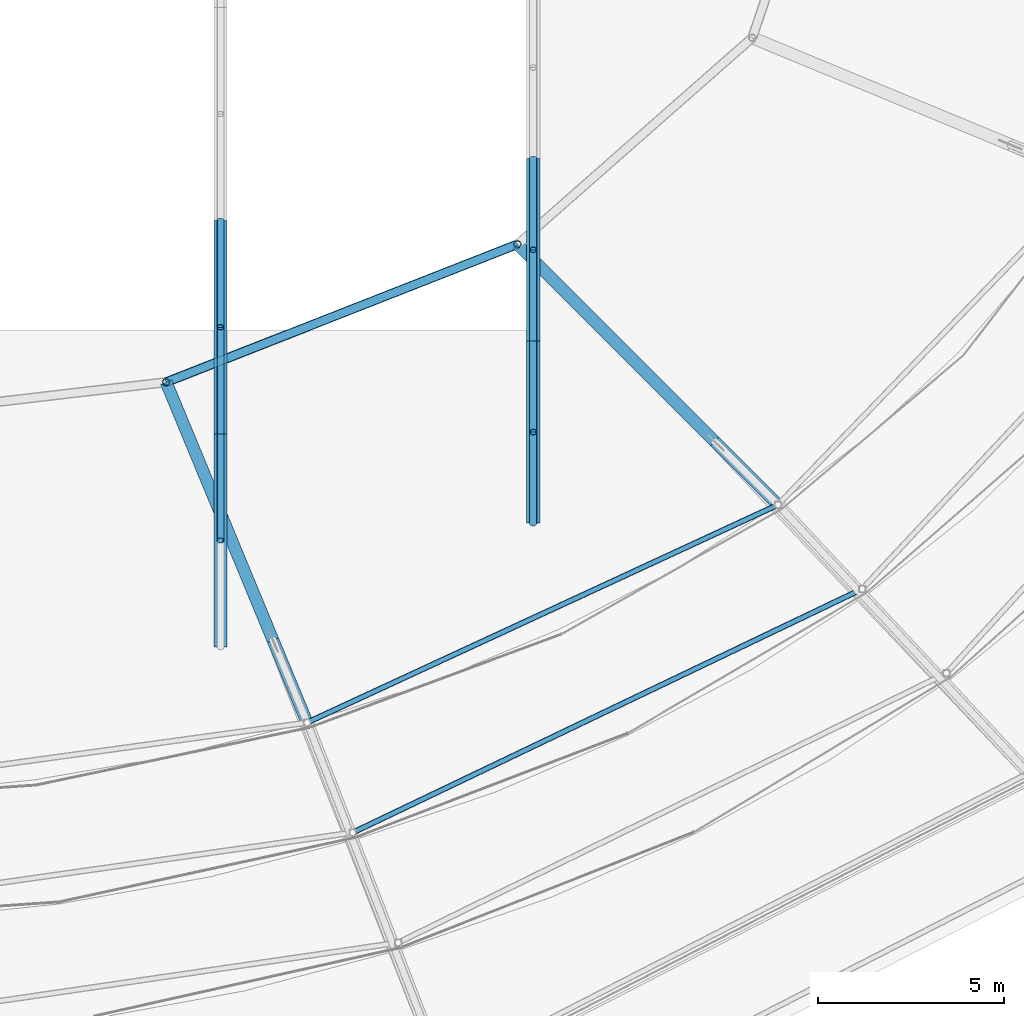
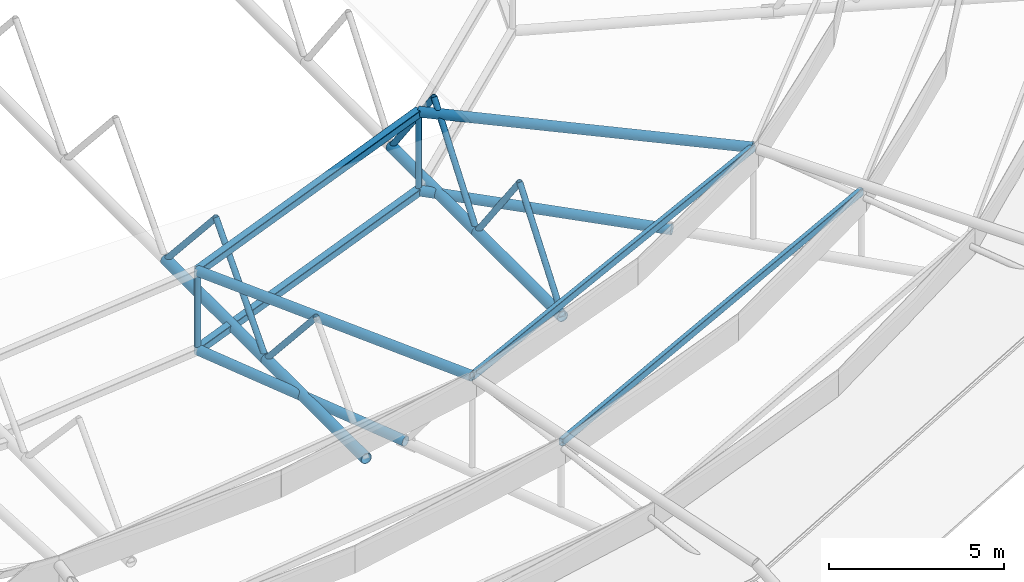
# One storey, part 29 of 134: 19 members, 2 beams.
"""IFC4 building model written with IfcOpenShell, lengths in metres."""

from ifc_helpers import new_model, si_unit, derived_unit, direction, frame, origin, origin_2d, place, context, subcontext, project, spatial, hollow_rectangle, hollow_circle, extrude, material, material_profile, profile_set, type_object, element, save


model = new_model("IFC4")

# Units and contexts
model_context = context("Model", 3, precision=1e-05, world=origin(), true_north=direction((0.0, 1.0)))
body_context = subcontext(model_context, "Body", "Model", "MODEL_VIEW")
ifc_project = project(units=[si_unit("LENGTHUNIT", "METRE"), si_unit("AREAUNIT", "SQUARE_METRE"), si_unit("VOLUMEUNIT", "CUBIC_METRE"), si_unit("PLANEANGLEUNIT", "RADIAN"), si_unit("MASSUNIT", "GRAM", prefix="KILO"), derived_unit("THERMALTRANSMITTANCEUNIT", [(si_unit("MASSUNIT", "GRAM", prefix="KILO"), 1), (si_unit("TIMEUNIT", "SECOND"), -3), (si_unit("THERMODYNAMICTEMPERATUREUNIT", "KELVIN"), -1)])], contexts=[model_context])

# Site, building, storey
site_placement = place(None, origin())
site = spatial("IfcSite", under=ifc_project, at=site_placement, CompositionType="ELEMENT")
building_placement = place(site_placement, origin())
building = spatial("IfcBuilding", under=site, at=building_placement, Name="Kharveza Railside Sports Centre", CompositionType="ELEMENT")
storey_placement = place(building_placement, frame((0.0, 0.0, 12.89990234375)))
storey = spatial("IfcBuildingStorey", under=building, at=storey_placement, Name="L03", CompositionType="ELEMENT", Elevation=12.89990234375)

# Beams
ifc_material = material(Name="Steel S355J2", Category="steel")
ifc_material_profile_1 = material_profile(ifc_material, hollow_rectangle(XDim=0.14990234375, YDim=0.25, WallThickness=0.010009765625, InnerFilletRadius=0.010009765625, OuterFilletRadius=0.02001953125, at=origin_2d()), Name="RHS 150x250x10.0")
ifc_profile_set_1 = profile_set([ifc_material_profile_1], Name="Steel S355J2")
beam_type = type_object("IfcBeamType", Name="BM-SP04", PredefinedType="SPANDREL", material=ifc_profile_set_1)
beam_1_placement = place(storey_placement, frame((70.749267578125, 22.498779296875, 2.30517578125), z_axis=(0.902161989983, 0.431397431414, 0.0), x_axis=(-0.431397431414, 0.902161989983, 0.0)))
element("IfcBeam", 1, at=beam_1_placement, inside=storey, type_object=beam_type, Name="BM-LIDRING-S3-14", PredefinedType="SPANDREL", context=body_context, shape_type="SweptSolid", body=[
    extrude(hollow_rectangle(XDim=0.14990234375, YDim=0.25, WallThickness=0.010009765625, InnerFilletRadius=0.010009765625, OuterFilletRadius=0.02001953125, at=origin_2d()), origin(), (0.0, 0.0, 1.0), 15.17529296875),
])
beam_2_placement = place(storey_placement, frame((69.524658203125, 25.455322265625, 3.255126953125), z_axis=(0.907600766423, 0.419834311114, 0.0), x_axis=(-0.419834311114, 0.907600766423, 0.0)))
element("IfcBeam", 2, at=beam_2_placement, inside=storey, type_object=beam_type, Name="BM-LIDRING-S4-14", PredefinedType="SPANDREL", context=body_context, shape_type="SweptSolid", body=[
    extrude(hollow_rectangle(XDim=0.14990234375, YDim=0.25, WallThickness=0.010009765625, InnerFilletRadius=0.010009765625, OuterFilletRadius=0.02001953125, at=origin_2d()), origin(), (0.0, 0.0, 1.0), 13.940673828125),
])

# Members
ifc_material_profile_2 = material_profile(ifc_material, hollow_circle(Radius=0.177734375, WallThickness=0.01611328125, at=origin_2d()), Name="CHS 355.6x16.0")
ifc_profile_set_2 = profile_set([ifc_material_profile_2], Name="Steel S355J2")
member_type_1 = type_object("IfcMemberType", Name="MB-CH01", PredefinedType="CHORD", material=ifc_profile_set_2)
member_1_placement = place(storey_placement, frame((67.199951171875, 27.484619140625, -0.0498046875), z_axis=(0.0, 1.0, 0.0), x_axis=(-1.0, 0.0, 0.0)))
element("IfcMember", 3, at=member_1_placement, inside=storey, type_object=member_type_1, Name="MB-V1TR-BC-5-1", PredefinedType="CHORD", context=body_context, shape_type="SweptSolid", body=[
    extrude(hollow_circle(Radius=0.177734375, WallThickness=0.01611328125, at=origin_2d()), origin(), (0.0, 0.0, 1.0), 5.728759765625),
])
member_2_placement = place(storey_placement, frame((67.199951171875, 33.21337890625, -0.0498046875), z_axis=(0.0, 1.0, 0.0), x_axis=(-1.0, 0.0, 0.0)))
element("IfcMember", 4, at=member_2_placement, inside=storey, type_object=member_type_1, Name="MB-V1TR-BC-5-2", PredefinedType="CHORD", context=body_context, shape_type="SweptSolid", body=[
    extrude(hollow_circle(Radius=0.177734375, WallThickness=0.01611328125, at=origin_2d()), origin(), (0.0, 0.0, 1.0), 5.72900390625),
])
member_3_placement = place(storey_placement, frame((75.60009765625, 30.8134765625, -0.0498046875), z_axis=(0.0, 1.0, 0.0), x_axis=(-1.0, 0.0, 0.0)))
element("IfcMember", 5, at=member_3_placement, inside=storey, type_object=member_type_1, Name="MB-V1TR-BC-6-1", PredefinedType="CHORD", context=body_context, shape_type="SweptSolid", body=[
    extrude(hollow_circle(Radius=0.177734375, WallThickness=0.01611328125, at=origin_2d()), origin(), (0.0, 0.0, 1.0), 4.896728515625),
])
member_4_placement = place(storey_placement, frame((75.60009765625, 35.710205078125, -0.0498046875), z_axis=(0.0, 1.0, 0.0), x_axis=(-1.0, 0.0, 0.0)))
element("IfcMember", 6, at=member_4_placement, inside=storey, type_object=member_type_1, Name="MB-V1TR-BC-6-2", PredefinedType="CHORD", context=body_context, shape_type="SweptSolid", body=[
    extrude(hollow_circle(Radius=0.177734375, WallThickness=0.01611328125, at=origin_2d()), origin(), (0.0, 0.0, 1.0), 4.896484375),
])
ifc_material_profile_3 = material_profile(ifc_material, hollow_circle(Radius=0.161865234375, WallThickness=0.01611328125, at=origin_2d()), Name="CHS 323.9x16.0")
ifc_profile_set_3 = profile_set([ifc_material_profile_3], Name="Steel S355J2")
member_type_2 = type_object("IfcMemberType", Name="MB-CH02", PredefinedType="CHORD", material=ifc_profile_set_3)
member_5_placement = place(storey_placement, frame((65.736083984375, 34.601806640625, -0.0498046875), z_axis=(0.382677616283, -0.92388194159, 0.0), x_axis=(0.92388194159, 0.382677616283, 0.0)))
element("IfcMember", 7, at=member_5_placement, inside=storey, type_object=member_type_2, Name="MB-OUT-BC1-14", PredefinedType="CHORD", context=body_context, shape_type="SweptSolid", body=[
    extrude(hollow_circle(Radius=0.161865234375, WallThickness=0.01611328125, at=origin_2d()), origin(), (0.0, 0.0, 1.0), 7.5),
])
member_6_placement = place(storey_placement, frame((65.736083984375, 34.601806640625, 2.7001953125), z_axis=(0.382092624756, -0.922458956943, 0.055449967196), x_axis=(0.923880377367, 0.382681392697, 0.0)))
element("IfcMember", 8, at=member_6_placement, inside=storey, type_object=member_type_2, Name="MB-OUT-TC1-14", PredefinedType="CHORD", context=body_context, shape_type="SweptSolid", body=[
    extrude(hollow_circle(Radius=0.161865234375, WallThickness=0.01611328125, at=origin_2d()), origin(), (0.0, 0.0, 1.0), 9.915283203125),
])
member_7_placement = place(storey_placement, frame((75.1767578125, 38.30859375, -0.0498046875), z_axis=(0.707090505092, -0.707123056906, 0.0), x_axis=(0.707123056906, 0.707090505092, 0.0)))
element("IfcMember", 9, at=member_7_placement, inside=storey, type_object=member_type_2, Name="MB-OUT-BC1-15", PredefinedType="CHORD", context=body_context, shape_type="SweptSolid", body=[
    extrude(hollow_circle(Radius=0.161865234375, WallThickness=0.01611328125, at=origin_2d()), origin(), (0.0, 0.0, 1.0), 7.5),
])
member_8_placement = place(storey_placement, frame((75.1767578125, 38.30859375, 2.7001953125), z_axis=(0.706018898466, -0.706018898466, 0.055449346423), x_axis=(0.707106781187, 0.707106781187, 0.0)))
element("IfcMember", 10, at=member_8_placement, inside=storey, type_object=member_type_2, Name="MB-OUT-TC1-15", PredefinedType="CHORD", context=body_context, shape_type="SweptSolid", body=[
    extrude(hollow_circle(Radius=0.161865234375, WallThickness=0.01611328125, at=origin_2d()), origin(), (0.0, 0.0, 1.0), 9.91552734375),
])
ifc_material_profile_4 = material_profile(ifc_material, hollow_rectangle(XDim=0.25, YDim=0.25, WallThickness=0.012451171875, InnerFilletRadius=0.012451171875, OuterFilletRadius=0.02490234375, at=origin_2d()), Name="SHS 250x250x12.5")
ifc_profile_set_4 = profile_set([ifc_material_profile_4], Name="Steel S355J2")
member_type_3 = type_object("IfcMemberType", Name="MB-CH05", PredefinedType="CHORD", material=ifc_profile_set_4)
for number, where, z_axis, x_axis, name in (
    (11, (65.736083984375, 34.601806640625, -0.0498046875), (0.930820233657, 0.365477348977, 0.0), (-0.365477348977, 0.930820233657, 0.0), "MB-INRING-BOT-14"),
    (12, (65.736083984375, 34.601806640625, 2.7001953125), (0.930820233657, 0.365477348977, 0.0), (-0.365477348977, 0.930820233657, 0.0), "MB-INRING-TOP-14"),
):
    element("IfcMember", number, at=place(storey_placement, frame(where, z_axis=z_axis, x_axis=x_axis)), inside=storey, type_object=member_type_3, Name=name, PredefinedType="CHORD", context=body_context, shape_type="SweptSolid", body=[
        extrude(hollow_rectangle(XDim=0.25, YDim=0.25, WallThickness=0.012451171875, InnerFilletRadius=0.012451171875, OuterFilletRadius=0.02490234375, at=origin_2d()), origin(), (0.0, 0.0, 1.0), 10.142333984375),
    ])
ifc_material_profile_5 = material_profile(ifc_material, hollow_circle(Radius=0.096923828125, WallThickness=0.010009765625, at=origin_2d()), Name="CHS 193.7x10.0")
ifc_profile_set_5 = profile_set([ifc_material_profile_5], Name="Steel S355J2")
member_type_4 = type_object("IfcMemberType", Name="MB-ST02", PredefinedType="STRUT", material=ifc_profile_set_5)
for number, where, z_axis, x_axis, name in (
    (13, (65.736083984375, 34.601806640625, -0.0498046875), (0.0, 0.0, 1.0), (1.0, 0.0, 0.0), "MB-OUT-WEB-14-1"),
    (14, (75.1767578125, 38.30859375, -0.0498046875), (0.0, 0.0, 1.0), (1.0, 0.0, 0.0), "MB-OUT-WEB-15-1"),
):
    element("IfcMember", number, at=place(storey_placement, frame(where, z_axis=z_axis, x_axis=x_axis)), inside=storey, type_object=member_type_4, Name=name, PredefinedType="STRUT", context=body_context, shape_type="SweptSolid", body=[
        extrude(hollow_circle(Radius=0.096923828125, WallThickness=0.010009765625, at=origin_2d()), origin(), (0.0, 0.0, 1.0), 2.75),
    ])
for number, where, z_axis, x_axis, name in (
    (15, (67.199951171875, 30.34912109375, 3.150146484375), (0.0, 0.666942739043, -0.745108973801), (-1.0, 0.0, 0.0), "MB-V1TR-D2-5-1"),
    (16, (67.199951171875, 33.21337890625, -0.0498046875), (0.0, 0.666974298635, 0.745080723788), (-1.0, 0.0, 0.0), "MB-V1TR-D1-5-2"),
    (17, (67.199951171875, 36.077880859375, 3.150146484375), (0.0, 0.666974298635, -0.745080723788), (-1.0, 0.0, 0.0), "MB-V1TR-D2-5-2"),
):
    element("IfcMember", number, at=place(storey_placement, frame(where, z_axis=z_axis, x_axis=x_axis)), inside=storey, type_object=member_type_4, Name=name, PredefinedType="STRUT", context=body_context, shape_type="SweptSolid", body=[
        extrude(hollow_circle(Radius=0.096923828125, WallThickness=0.010009765625, at=origin_2d()), origin(), (0.0, 0.0, 1.0), 4.294677734375),
    ])
member_9_placement = place(storey_placement, frame((75.60009765625, 30.8134765625, -0.0498046875), z_axis=(0.0, 0.60764126683, 0.794211615909), x_axis=(-1.0, 0.0, 0.0)))
element("IfcMember", 18, at=member_9_placement, inside=storey, type_object=member_type_4, Name="MB-V1TR-D1-6-1", PredefinedType="STRUT", context=body_context, shape_type="SweptSolid", body=[
    extrude(hollow_circle(Radius=0.096923828125, WallThickness=0.010009765625, at=origin_2d()), origin(), (0.0, 0.0, 1.0), 4.029052734375),
])
member_10_placement = place(storey_placement, frame((75.60009765625, 33.26171875, 3.150146484375), z_axis=(0.0, 0.607679486015, -0.794182373436), x_axis=(-1.0, 0.0, 0.0)))
element("IfcMember", 19, at=member_10_placement, inside=storey, type_object=member_type_4, Name="MB-V1TR-D2-6-1", PredefinedType="STRUT", context=body_context, shape_type="SweptSolid", body=[
    extrude(hollow_circle(Radius=0.096923828125, WallThickness=0.010009765625, at=origin_2d()), origin(), (0.0, 0.0, 1.0), 4.029296875),
])
for number, where, z_axis, x_axis, name in (
    (20, (75.60009765625, 35.710205078125, -0.0498046875), (0.0, 0.60764126683, 0.794211615909), (-1.0, 0.0, 0.0), "MB-V1TR-D1-6-2"),
    (21, (75.60009765625, 38.158447265625, 3.150146484375), (0.0, 0.60764126683, -0.794211615909), (-1.0, 0.0, 0.0), "MB-V1TR-D2-6-2"),
):
    element("IfcMember", number, at=place(storey_placement, frame(where, z_axis=z_axis, x_axis=x_axis)), inside=storey, type_object=member_type_4, Name=name, PredefinedType="STRUT", context=body_context, shape_type="SweptSolid", body=[
        extrude(hollow_circle(Radius=0.096923828125, WallThickness=0.010009765625, at=origin_2d()), origin(), (0.0, 0.0, 1.0), 4.029052734375),
    ])

save(model, "model.ifc")
